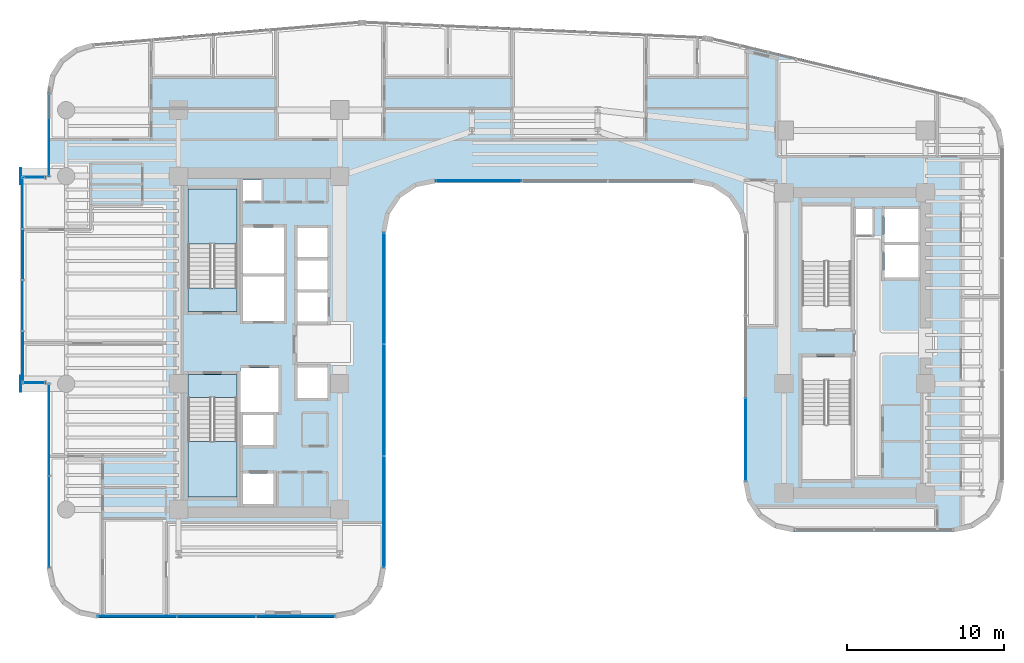
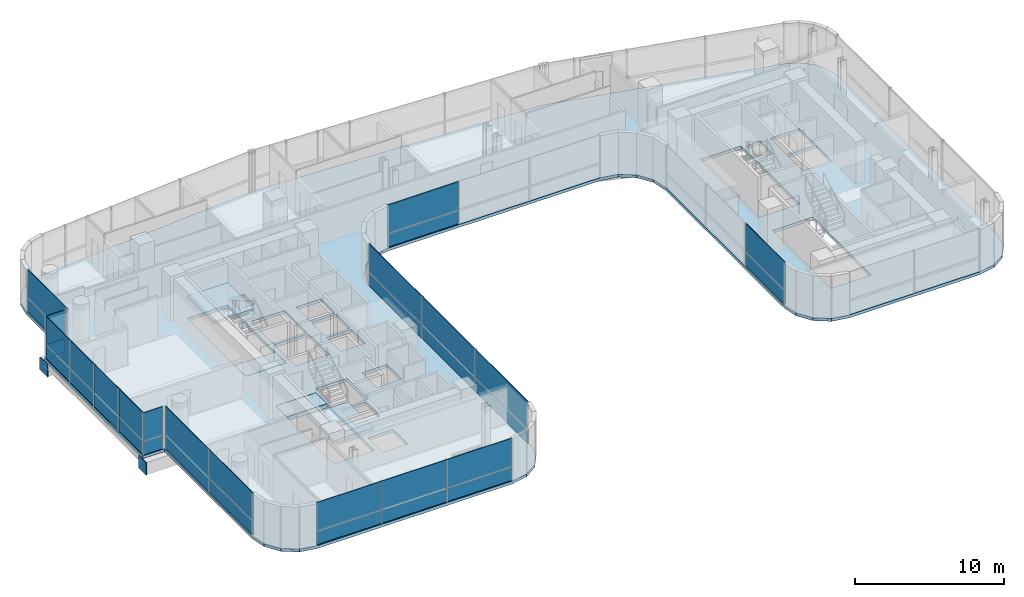
# One storey, part 24 of 36: 31 plates, 5 slabs, 11 elements without a shape of their own.
"""IFC4 building model written with IfcOpenShell, lengths in metres."""

from ifc_helpers import new_model, si_unit, direction, frame, origin, origin_2d, place, context, subcontext, project, spatial, polyline, rectangle, outline, extrude, source, transform, mapped, material, layer, layer_set, type_object, element, aggregate, save


model = new_model("IFC4")

# Units and contexts
model_context = context("Model", 3, precision=1e-05, world=origin(), true_north=direction((0.0, 1.0)))
body_context = subcontext(model_context, "Body", "Model", "MODEL_VIEW")
ifc_project = project(units=[si_unit("LENGTHUNIT", "METRE"), si_unit("AREAUNIT", "SQUARE_METRE"), si_unit("VOLUMEUNIT", "CUBIC_METRE"), si_unit("PLANEANGLEUNIT", "RADIAN"), si_unit("MASSUNIT", "GRAM", prefix="KILO")], contexts=[model_context])

# Site, building, storey
site_placement = place(None, origin())
site = spatial("IfcSite", under=ifc_project, at=site_placement, CompositionType="ELEMENT")
building_placement = place(site_placement, origin())
building = spatial("IfcBuilding", under=site, at=building_placement, Name="Valdorenza Pilgrim Sanctuary Tower", CompositionType="ELEMENT")
storey_placement = place(building_placement, frame((0.0, 0.0, 109.39990234375)))
storey = spatial("IfcBuildingStorey", under=building, at=storey_placement, Name="L27", CompositionType="ELEMENT", Elevation=109.39990234375)

# Slab
ifc_material_1 = material(Name="Concrete C40/50", Category="concrete")
ifc_layer_1 = layer(ifc_material_1, 0.239990234375, Name="Concrete C40/50")
ifc_layer_set_1 = layer_set([ifc_layer_1], Name="Concrete C40/50")
slab_type_1 = type_object("IfcSlabType", Name="SLAB-FLR-220", PredefinedType="FLOOR", material=ifc_layer_set_1)
slab_1_placement = place(storey_placement, frame((0.0, 0.0, -0.239990234375)))
element("IfcSlab", 1, at=slab_1_placement, inside=storey, type_object=slab_type_1, Name="L27 Structural Floor Slab 1", PredefinedType="FLOOR", context=body_context, shape_type="SweptSolid", body=[
    extrude(outline(polyline([(-30.78173828125, 17.022216796875), (-30.156494140625, 18.025390625), (-29.2099609375, 18.733154296875), (-28.071044921875, 19.049072265625), (-11.2080078125, 20.482421875), (-11.10400390625, 20.489501953125), (-10.895751953125, 20.49365234375), (10.6962890625, 19.513916015625), (10.847412109375, 19.50341796875), (10.998046875, 19.485595703125), (11.147705078125, 19.4609375), (11.2958984375, 19.42919921875), (27.344970703125, 15.587646484375), (28.323974609375, 15.17138671875), (29.1123046875, 14.45751953125), (29.623291015625, 13.5244140625), (29.800048828125, 12.4755859375), (29.800048828125, -8.800048828125), (29.556396484375, -10.024658203125), (28.86279296875, -11.062744140625), (27.82470703125, -11.75634765625), (26.60009765625, -12.0), (16.5, -12.0), (15.275390625, -11.75634765625), (14.2373046875, -11.062744140625), (13.543701171875, -10.024658203125), (13.300048828125, -8.800048828125), (13.300048828125, 7.0), (13.056396484375, 8.224609375), (12.36279296875, 9.2626953125), (11.32470703125, 9.956298828125), (10.10009765625, 10.199951171875), (-6.300048828125, 10.199951171875), (-7.524658203125, 9.956298828125), (-8.562744140625, 9.2626953125), (-9.25634765625, 8.224609375), (-9.5, 7.0), (-9.5, -14.300048828125), (-9.74365234375, -15.524658203125), (-10.437255859375, -16.562744140625), (-11.475341796875, -17.25634765625), (-12.699951171875, -17.5), (-27.800048828125, -17.5), (-29.024658203125, -17.25634765625), (-30.062744140625, -16.562744140625), (-30.75634765625, -15.524658203125), (-31.0, -14.300048828125), (-31.0, -2.60009765625), (-32.64990234375, -2.60009765625), (-32.64990234375, 10.60009765625), (-31.0, 10.60009765625), (-31.0, 15.860595703125), (-30.78173828125, 17.022216796875)]), holes=[polyline([(-16.60009765625, -10.25), (-16.60009765625, -8.300048828125), (-18.550048828125, -8.300048828125), (-18.550048828125, -10.25), (-16.60009765625, -10.25)]), polyline([(-22.050048828125, -9.800048828125), (-18.93994140625, -9.800048828125), (-18.93994140625, -3.485107421875), (-18.93994140625, -2.0), (-22.050048828125, -2.0), (-22.050048828125, -3.485107421875), (-22.050048828125, -9.800048828125)]), polyline([(-16.60009765625, -6.5), (-16.60009765625, -4.60009765625), (-18.550048828125, -4.60009765625), (-18.550048828125, -6.5), (-16.60009765625, -6.5)]), polyline([(-18.719970703125, -4.39990234375), (-16.300048828125, -4.39990234375), (-16.300048828125, -1.60009765625), (-18.719970703125, -1.60009765625), (-18.719970703125, -4.39990234375)]), polyline([(-13.179931640625, 1.35009765625), (-13.179931640625, 3.199951171875), (-15.10009765625, 3.199951171875), (-15.10009765625, 1.35009765625), (-13.179931640625, 1.35009765625)]), polyline([(-22.050048828125, 2.0), (-18.93994140625, 2.0), (-18.93994140625, 3.485107421875), (-18.93994140625, 9.800048828125), (-22.050048828125, 9.800048828125), (-22.050048828125, 3.485107421875), (-22.050048828125, 2.0)]), polyline([(-15.949951171875, 1.39990234375), (-15.949951171875, 4.22509765625), (-18.550048828125, 4.22509765625), (-18.550048828125, 1.39990234375), (-15.949951171875, 1.39990234375)]), polyline([(-18.550048828125, 4.425048828125), (-15.949951171875, 4.425048828125), (-15.949951171875, 7.35009765625), (-18.550048828125, 7.35009765625), (-18.550048828125, 4.425048828125)]), polyline([(-17.360107421875, 9.030029296875), (-17.360107421875, 10.35009765625), (-18.570068359375, 10.35009765625), (-18.570068359375, 9.030029296875), (-17.360107421875, 9.030029296875)]), polyline([(17.0, -8.699951171875), (20.110107421875, -8.699951171875), (20.110107421875, -2.385009765625), (20.110107421875, -0.89990234375), (17.0, -0.89990234375), (17.0, -2.385009765625), (17.0, -8.699951171875)]), polyline([(-13.179931640625, -3.5), (-13.179931640625, -1.550048828125), (-15.10009765625, -1.550048828125), (-15.10009765625, -3.5), (-13.179931640625, -3.5)]), polyline([(17.0, 0.89990234375), (20.110107421875, 0.89990234375), (20.110107421875, 2.385009765625), (20.110107421875, 8.699951171875), (17.0, 8.699951171875), (17.0, 2.385009765625), (17.0, 0.89990234375)]), polyline([(-13.179931640625, 3.39990234375), (-13.179931640625, 5.25), (-15.10009765625, 5.25), (-15.10009765625, 3.39990234375), (-13.179931640625, 3.39990234375)]), polyline([(22.25, 4.14990234375), (24.47998046875, 4.14990234375), (24.47998046875, 6.22509765625), (22.25, 6.22509765625), (22.25, 4.14990234375)]), polyline([(-13.179931640625, 5.449951171875), (-13.179931640625, 7.300048828125), (-15.10009765625, 7.300048828125), (-15.10009765625, 5.449951171875), (-13.179931640625, 5.449951171875)]), polyline([(22.25, 6.425048828125), (24.47998046875, 6.425048828125), (24.47998046875, 8.5), (22.25, 8.5), (22.25, 6.425048828125)]), polyline([(20.409912109375, 6.860107421875), (21.489990234375, 6.860107421875), (21.489990234375, 8.52001953125), (20.409912109375, 8.52001953125), (20.409912109375, 6.860107421875)])]), origin(), (0.0, 0.0, 1.0), 0.239990234375),
])

# Stair, slab
stair_type = type_object("IfcStairType", Name="STR-DOG-CORE", PredefinedType="HALF_TURN_STAIR", material=ifc_material_1)
stair_1_placement = place(storey_placement, origin())
stair_1 = element("IfcStair", 2, at=stair_1_placement, inside=storey, type_object=stair_type, Name="L27 ST-A1", PredefinedType="HALF_TURN_STAIR")
ifc_layer_2 = layer(ifc_material_1, 0.199951171875, Name="Concrete C40/50")
ifc_layer_set_2 = layer_set([ifc_layer_2], Name="Concrete C40/50")
slab_type_2 = type_object("IfcSlabType", Name="SLAB-STL-200", PredefinedType="LANDING", material=ifc_layer_set_2)
slab_2_placement = place(storey_placement, frame((0.0, 0.0, 1.650146484375)))
slab_2 = element("IfcSlab", 3, at=slab_2_placement, type_object=slab_type_2, Name="ST-A1 landing 1", PredefinedType="LANDING", context=body_context, shape_type="SweptSolid", body=[
    extrude(outline(polyline([(-18.93994140625, 6.280029296875), (-18.93994140625, 9.800048828125), (-22.050048828125, 9.800048828125), (-22.050048828125, 6.280029296875), (-18.93994140625, 6.280029296875)])), origin(), (0.0, 0.0, 1.0), 0.199951171875),
])
aggregate(stair_1, [slab_2])

stair_2_placement = place(storey_placement, origin())
stair_2 = element("IfcStair", 4, at=stair_2_placement, inside=storey, type_object=stair_type, Name="L27 ST-A2", PredefinedType="HALF_TURN_STAIR")
slab_3_placement = place(storey_placement, frame((0.0, 0.0, 1.650146484375)))
slab_3 = element("IfcSlab", 5, at=slab_3_placement, type_object=slab_type_2, Name="ST-A2 landing 1", PredefinedType="LANDING", context=body_context, shape_type="SweptSolid", body=[
    extrude(outline(polyline([(-22.050048828125, -6.280029296875), (-22.050048828125, -9.800048828125), (-18.93994140625, -9.800048828125), (-18.93994140625, -6.280029296875), (-22.050048828125, -6.280029296875)])), origin(), (0.0, 0.0, 1.0), 0.199951171875),
])
aggregate(stair_2, [slab_3])

# Slabs
ifc_material_2 = material(Name="Concrete C50/60", Category="concrete")
ifc_layer_3 = layer(ifc_material_2, 0.39990234375, Name="Concrete C50/60")
ifc_layer_set_3 = layer_set([ifc_layer_3], Name="Concrete C50/60")
slab_type_3 = type_object("IfcSlabType", Name="SLAB-TRF-400", PredefinedType="FLOOR", material=ifc_layer_set_3)
slab_4_placement = place(storey_placement, frame((0.0, 0.0, -0.35986328125)))
element("IfcSlab", 6, at=slab_4_placement, inside=storey, type_object=slab_type_3, Name="L27 ST-A1 Structural Stair Landing Bearing Slab", PredefinedType="FLOOR", context=body_context, shape_type="SweptSolid", body=[
    extrude(outline(polyline([(-22.050048828125, 2.0), (-18.93994140625, 2.0), (-18.93994140625, 3.485107421875), (-22.050048828125, 3.485107421875), (-22.050048828125, 2.0)])), origin(), (0.0, 0.0, 1.0), 0.35986328125),
])
slab_5_placement = place(storey_placement, frame((0.0, 0.0, -0.35986328125)))
element("IfcSlab", 7, at=slab_5_placement, inside=storey, type_object=slab_type_3, Name="L27 ST-A2 Structural Stair Landing Bearing Slab", PredefinedType="FLOOR", context=body_context, shape_type="SweptSolid", body=[
    extrude(outline(polyline([(-22.050048828125, -3.485107421875), (-18.93994140625, -3.485107421875), (-18.93994140625, -2.0), (-22.050048828125, -2.0), (-22.050048828125, -3.485107421875)])), origin(), (0.0, 0.0, 1.0), 0.35986328125),
])

# Plates
ifc_material_3 = material(Name="Steel ASTM A572 Grade 42", Category="steel")
ifc_layer_4 = layer(ifc_material_3, 0.06005859375, Name="Steel ASTM A572 Grade 42")
ifc_layer_set_4 = layer_set([ifc_layer_4], Name="Steel ASTM A572 Grade 42")
plate_type_1 = type_object("IfcPlateType", Name="PLT-CAP-60", PredefinedType="SHEET", material=ifc_layer_set_4)
shared_shape_1 = source(origin(), body_context, "Body", "SweptSolid", [
    extrude(rectangle(XDim=0.06005859375, YDim=1.0400390625, at=origin_2d()), origin(), (0.0, 0.0, 1.0), 1.0400390625),
])
for number, where, z_axis, x_axis, name in (
    (8, (-32.679931640625, 10.60009765625, -1.260009765625), (0.0, 0.0, 1.0), (1.0, 0.0, 0.0), "L27 BOX-WA-L27 Cantilever Tip End Cap N"),
    (9, (-32.679931640625, -2.60009765625, -1.260009765625), (0.0, 0.0, 1.0), (1.0, 0.0, 0.0), "L27 BOX-WA-L27 Cantilever Tip End Cap S"),
):
    element("IfcPlate", number, at=place(storey_placement, frame(where, z_axis=z_axis, x_axis=x_axis)), inside=storey, type_object=plate_type_1, Name=name, PredefinedType="SHEET", context=body_context, shape_type="MappedRepresentation", body=[
        mapped(shared_shape_1, transform((0.0, 0.0, 0.0), x_axis=(1.0, 0.0, 0.0), y_axis=(0.0, 1.0, 0.0), z_axis=(0.0, 0.0, 1.0), scale=1.0)),
    ])

# Curtain wall, plates
ifc_material_4 = material(Name="Curtain-wall IGU glazing", Category="glass")
curtain_wall_type_1 = type_object("IfcCurtainWallType", Name="CW-SYS-02", PredefinedType="NOTDEFINED", material=ifc_material_4)
curtain_wall_1_placement = place(storey_placement, origin())
curtain_wall_1 = element("IfcCurtainWall", 10, at=curtain_wall_1_placement, inside=storey, type_object=curtain_wall_type_1, Name="L27 Curtain Wall CW-L27-1-36", PredefinedType="NOTDEFINED")
ifc_material_5 = material(Name="Honed travertine limestone", Category="masonry")
ifc_layer_5 = layer(ifc_material_5, 0.050048828125, Name="Honed travertine limestone")
ifc_layer_set_5 = layer_set([ifc_layer_5], Name="Honed travertine limestone")
plate_type_2 = type_object("IfcPlateType", Name="CW-SPN-TRV", PredefinedType="USERDEFINED", material=ifc_layer_set_5)
shared_shape_2 = source(origin(), body_context, "Body", "SweptSolid", [
    extrude(rectangle(XDim=5.453857421875, YDim=0.06005859375, at=origin_2d()), origin(), (0.0, 0.0, 1.0), 1.10009765625),
])
plate_1_placement = place(storey_placement, frame((-3.573974609375, 10.31005859375, 0.010009765625), z_axis=(0.0, 0.0, 1.0), x_axis=(-1.0, 0.0, 0.0)))
plate_1 = element("IfcPlate", 11, at=plate_1_placement, type_object=plate_type_2, Name="CW-L27-1-36 Travertine Spandrel 3", ObjectType="SPANDREL", PredefinedType="USERDEFINED", context=body_context, shape_type="MappedRepresentation", body=[
    mapped(shared_shape_2, transform((0.0, 0.0, 0.0), x_axis=(1.0, 0.0, 0.0), y_axis=(0.0, 1.0, 0.0), z_axis=(0.0, 0.0, 1.0), scale=1.0)),
])
ifc_material_6 = material(Name="Ceramic-fritted low-E IGU glazing", Category="glass")
ifc_layer_6 = layer(ifc_material_6, 0.035888671875, Name="Ceramic-fritted low-E IGU glazing")
ifc_layer_set_6 = layer_set([ifc_layer_6], Name="Ceramic-fritted low-E IGU glazing")
plate_type_3 = type_object("IfcPlateType", Name="CW-GLZ-IGU", PredefinedType="USERDEFINED", material=ifc_layer_set_6)
shared_shape_3 = source(origin(), body_context, "Body", "SweptSolid", [
    extrude(rectangle(XDim=5.453857421875, YDim=0.050048828125, at=origin_2d()), origin(), (0.0, 0.0, 1.0), 2.320068359375),
])
plate_2_placement = place(storey_placement, frame((-3.573974609375, 10.31005859375, 1.1298828125), z_axis=(0.0, 0.0, 1.0), x_axis=(-1.0, 0.0, 0.0)))
plate_2 = element("IfcPlate", 12, at=plate_2_placement, type_object=plate_type_3, Name="CW-L27-1-36 Facade Panel 3", ObjectType="GLAZING", PredefinedType="USERDEFINED", context=body_context, shape_type="MappedRepresentation", body=[
    mapped(shared_shape_3, transform((0.0, 0.0, 0.0), x_axis=(1.0, 0.0, 0.0), y_axis=(0.0, 1.0, 0.0), z_axis=(0.0, 0.0, 1.0), scale=1.0)),
])
aggregate(curtain_wall_1, [plate_1, plate_2])

# Curtain wall, plate
curtain_wall_2_placement = place(storey_placement, origin())
curtain_wall_2 = element("IfcCurtainWall", 13, at=curtain_wall_2_placement, inside=storey, type_object=curtain_wall_type_1, Name="L27 Curtain Wall CW-L27-BOX-WA-L27-S", PredefinedType="NOTDEFINED")
shared_shape_4 = source(origin(), body_context, "Body", "SweptSolid", [
    extrude(rectangle(XDim=1.43994140625, YDim=0.06005859375, at=origin_2d()), origin(), (0.0, 0.0, 1.0), 1.10009765625),
])
plate_3_placement = place(storey_placement, frame((-31.840087890625, -2.52001953125, 0.010009765625), z_axis=(0.0, 0.0, 1.0), x_axis=(-1.0, 0.0, 0.0)))
plate_3 = element("IfcPlate", 14, at=plate_3_placement, type_object=plate_type_2, Name="CW-L27-BOX-WA-L27-S Travertine Spandrel 1", ObjectType="SPANDREL", PredefinedType="USERDEFINED", context=body_context, shape_type="MappedRepresentation", body=[
    mapped(shared_shape_4, transform((0.0, 0.0, 0.0), x_axis=(1.0, 0.0, 0.0), y_axis=(0.0, 1.0, 0.0), z_axis=(0.0, 0.0, 1.0), scale=1.0)),
])

curtain_wall_3_placement = place(storey_placement, origin())
curtain_wall_3 = element("IfcCurtainWall", 15, at=curtain_wall_3_placement, inside=storey, type_object=curtain_wall_type_1, Name="L27 Curtain Wall CW-L27-BOX-WA-L27-N", PredefinedType="NOTDEFINED")
plate_4_placement = place(storey_placement, frame((-31.840087890625, 10.52001953125, 0.010009765625), z_axis=(0.0, 0.0, 1.0), x_axis=(1.0, 0.0, 0.0)))
plate_4 = element("IfcPlate", 16, at=plate_4_placement, type_object=plate_type_2, Name="CW-L27-BOX-WA-L27-N Travertine Spandrel 1", ObjectType="SPANDREL", PredefinedType="USERDEFINED", context=body_context, shape_type="MappedRepresentation", body=[
    mapped(shared_shape_4, transform((0.0, 0.0, 0.0), x_axis=(1.0, 0.0, 0.0), y_axis=(0.0, 1.0, 0.0), z_axis=(0.0, 0.0, 1.0), scale=1.0)),
])

# Plate
shared_shape_5 = source(origin(), body_context, "Body", "SweptSolid", [
    extrude(rectangle(XDim=1.43994140625, YDim=0.050048828125, at=origin_2d()), origin(), (0.0, 0.0, 1.0), 2.320068359375),
])
plate_5_placement = place(storey_placement, frame((-31.840087890625, -2.52001953125, 1.1298828125), z_axis=(0.0, 0.0, 1.0), x_axis=(-1.0, 0.0, 0.0)))
plate_5 = element("IfcPlate", 17, at=plate_5_placement, type_object=plate_type_3, Name="CW-L27-BOX-WA-L27-S Facade Panel 1", ObjectType="GLAZING", PredefinedType="USERDEFINED", context=body_context, shape_type="MappedRepresentation", body=[
    mapped(shared_shape_5, transform((0.0, 0.0, 0.0), x_axis=(1.0, 0.0, 0.0), y_axis=(0.0, 1.0, 0.0), z_axis=(0.0, 0.0, 1.0), scale=1.0)),
])

aggregate(curtain_wall_2, [plate_3, plate_5])

plate_6_placement = place(storey_placement, frame((-31.840087890625, 10.52001953125, 1.1298828125), z_axis=(0.0, 0.0, 1.0), x_axis=(1.0, 0.0, 0.0)))
plate_6 = element("IfcPlate", 18, at=plate_6_placement, type_object=plate_type_3, Name="CW-L27-BOX-WA-L27-N Facade Panel 1", ObjectType="GLAZING", PredefinedType="USERDEFINED", context=body_context, shape_type="MappedRepresentation", body=[
    mapped(shared_shape_5, transform((0.0, 0.0, 0.0), x_axis=(1.0, 0.0, 0.0), y_axis=(0.0, 1.0, 0.0), z_axis=(0.0, 0.0, 1.0), scale=1.0)),
])

aggregate(curtain_wall_3, [plate_4, plate_6])

# Curtain wall, plates
curtain_wall_4_placement = place(storey_placement, origin())
curtain_wall_4 = element("IfcCurtainWall", 19, at=curtain_wall_4_placement, inside=storey, type_object=curtain_wall_type_1, Name="L27 Curtain Wall CW-L27-BOX-WA-L27-F", PredefinedType="NOTDEFINED")
shared_shape_6 = source(origin(), body_context, "Body", "SweptSolid", [
    extrude(rectangle(XDim=3.239990234375, YDim=0.06005859375, at=origin_2d()), origin(), (0.0, 0.0, 1.0), 1.10009765625),
])
plate_7_placement = place(storey_placement, frame((-32.570068359375, -0.889892578125, 0.010009765625), z_axis=(0.0, 0.0, 1.0), x_axis=(0.0, 1.0, 0.0)))
plate_7 = element("IfcPlate", 20, at=plate_7_placement, type_object=plate_type_2, Name="CW-L27-BOX-WA-L27-F Travertine Spandrel 1", ObjectType="SPANDREL", PredefinedType="USERDEFINED", context=body_context, shape_type="MappedRepresentation", body=[
    mapped(shared_shape_6, transform((0.0, 0.0, 0.0), x_axis=(1.0, 0.0, 0.0), y_axis=(0.0, 1.0, 0.0), z_axis=(0.0, 0.0, 1.0), scale=1.0)),
])
plate_8_placement = place(storey_placement, frame((-32.570068359375, 5.6298828125, 0.010009765625), z_axis=(0.0, 0.0, 1.0), x_axis=(0.0, 1.0, 0.0)))
plate_8 = element("IfcPlate", 21, at=plate_8_placement, type_object=plate_type_2, Name="CW-L27-BOX-WA-L27-F Travertine Spandrel 3", ObjectType="SPANDREL", PredefinedType="USERDEFINED", context=body_context, shape_type="MappedRepresentation", body=[
    mapped(shared_shape_6, transform((0.0, 0.0, 0.0), x_axis=(1.0, 0.0, 0.0), y_axis=(0.0, 1.0, 0.0), z_axis=(0.0, 0.0, 1.0), scale=1.0)),
])
shared_shape_7 = source(origin(), body_context, "Body", "SweptSolid", [
    extrude(rectangle(XDim=3.239990234375, YDim=0.050048828125, at=origin_2d()), origin(), (0.0, 0.0, 1.0), 2.320068359375),
])
plate_9_placement = place(storey_placement, frame((-32.570068359375, -0.889892578125, 1.1298828125), z_axis=(0.0, 0.0, 1.0), x_axis=(0.0, 1.0, 0.0)))
plate_9 = element("IfcPlate", 22, at=plate_9_placement, type_object=plate_type_3, Name="CW-L27-BOX-WA-L27-F Facade Panel 1", ObjectType="GLAZING", PredefinedType="USERDEFINED", context=body_context, shape_type="MappedRepresentation", body=[
    mapped(shared_shape_7, transform((0.0, 0.0, 0.0), x_axis=(1.0, 0.0, 0.0), y_axis=(0.0, 1.0, 0.0), z_axis=(0.0, 0.0, 1.0), scale=1.0)),
])
plate_10_placement = place(storey_placement, frame((-32.570068359375, 5.6298828125, 1.1298828125), z_axis=(0.0, 0.0, 1.0), x_axis=(0.0, 1.0, 0.0)))
plate_10 = element("IfcPlate", 23, at=plate_10_placement, type_object=plate_type_3, Name="CW-L27-BOX-WA-L27-F Facade Panel 3", ObjectType="GLAZING", PredefinedType="USERDEFINED", context=body_context, shape_type="MappedRepresentation", body=[
    mapped(shared_shape_7, transform((0.0, 0.0, 0.0), x_axis=(1.0, 0.0, 0.0), y_axis=(0.0, 1.0, 0.0), z_axis=(0.0, 0.0, 1.0), scale=1.0)),
])
shared_shape_8 = source(origin(), body_context, "Body", "SweptSolid", [
    extrude(rectangle(XDim=3.239990234375, YDim=0.050048828125, at=origin_2d()), origin(), (0.0, 0.0, 1.0), 3.43994140625),
])
plate_11_placement = place(storey_placement, frame((-32.570068359375, 2.3701171875, 0.010009765625), z_axis=(0.0, 0.0, 1.0), x_axis=(0.0, 1.0, 0.0)))
plate_11 = element("IfcPlate", 24, at=plate_11_placement, type_object=plate_type_3, Name="CW-L27-BOX-WA-L27-F Full-Height Facade Panel 2", ObjectType="GLAZING", PredefinedType="USERDEFINED", context=body_context, shape_type="MappedRepresentation", body=[
    mapped(shared_shape_8, transform((0.0, 0.0, 0.0), x_axis=(1.0, 0.0, 0.0), y_axis=(0.0, 1.0, 0.0), z_axis=(0.0, 0.0, 1.0), scale=1.0)),
])
plate_12_placement = place(storey_placement, frame((-32.570068359375, 8.889892578125, 0.010009765625), z_axis=(0.0, 0.0, 1.0), x_axis=(0.0, 1.0, 0.0)))
plate_12 = element("IfcPlate", 25, at=plate_12_placement, type_object=plate_type_3, Name="CW-L27-BOX-WA-L27-F Full-Height Facade Panel 4", ObjectType="GLAZING", PredefinedType="USERDEFINED", context=body_context, shape_type="MappedRepresentation", body=[
    mapped(shared_shape_8, transform((0.0, 0.0, 0.0), x_axis=(1.0, 0.0, 0.0), y_axis=(0.0, 1.0, 0.0), z_axis=(0.0, 0.0, 1.0), scale=1.0)),
])
aggregate(curtain_wall_4, [plate_7, plate_9, plate_11, plate_8, plate_10, plate_12])

# Curtain wall, plate
curtain_wall_type_2 = type_object("IfcCurtainWallType", Name="CW-SYS-03", PredefinedType="NOTDEFINED", material=ifc_material_4)
curtain_wall_5_placement = place(storey_placement, origin())
curtain_wall_5 = element("IfcCurtainWall", 26, at=curtain_wall_5_placement, inside=storey, type_object=curtain_wall_type_2, Name="L27 Curtain Wall CW-L27-1-31", PredefinedType="NOTDEFINED")
shared_shape_9 = source(origin(), body_context, "Body", "SweptSolid", [
    extrude(rectangle(XDim=5.24658203125, YDim=0.06005859375, at=origin_2d()), origin(), (0.0, 0.0, 1.0), 1.10009765625),
])
plate_13_placement = place(storey_placement, frame((13.409912109375, -6.156005859375, 0.010009765625), z_axis=(0.0, 0.0, 1.0), x_axis=(0.0, 1.0, 0.0)))
plate_13 = element("IfcPlate", 27, at=plate_13_placement, type_object=plate_type_2, Name="CW-L27-1-31 Travertine Spandrel 1", ObjectType="SPANDREL", PredefinedType="USERDEFINED", context=body_context, shape_type="MappedRepresentation", body=[
    mapped(shared_shape_9, transform((0.0, 0.0, 0.0), x_axis=(1.0, 0.0, 0.0), y_axis=(0.0, 1.0, 0.0), z_axis=(0.0, 0.0, 1.0), scale=1.0)),
])

# Curtain wall, plates
curtain_wall_6_placement = place(storey_placement, origin())
curtain_wall_6 = element("IfcCurtainWall", 28, at=curtain_wall_6_placement, inside=storey, type_object=curtain_wall_type_1, Name="L27 Curtain Wall CW-L27-1-41", PredefinedType="NOTDEFINED")
shared_shape_10 = source(origin(), body_context, "Body", "SweptSolid", [
    extrude(rectangle(XDim=7.080078125, YDim=0.06005859375, at=origin_2d()), origin(), (0.0, 0.0, 1.0), 1.10009765625),
])
plate_14_placement = place(storey_placement, frame((-9.610107421875, 3.460693359375, 0.010009765625), z_axis=(0.0, 0.0, 1.0), x_axis=(0.0, -1.0, 0.0)))
plate_14 = element("IfcPlate", 29, at=plate_14_placement, type_object=plate_type_2, Name="CW-L27-1-41 Travertine Spandrel 1", ObjectType="SPANDREL", PredefinedType="USERDEFINED", context=body_context, shape_type="MappedRepresentation", body=[
    mapped(shared_shape_10, transform((0.0, 0.0, 0.0), x_axis=(1.0, 0.0, 0.0), y_axis=(0.0, 1.0, 0.0), z_axis=(0.0, 0.0, 1.0), scale=1.0)),
])
plate_15_placement = place(storey_placement, frame((-9.610107421875, -10.7392578125, 0.010009765625), z_axis=(0.0, 0.0, 1.0), x_axis=(0.0, -1.0, 0.0)))
plate_15 = element("IfcPlate", 30, at=plate_15_placement, type_object=plate_type_2, Name="CW-L27-1-41 Travertine Spandrel 3", ObjectType="SPANDREL", PredefinedType="USERDEFINED", context=body_context, shape_type="MappedRepresentation", body=[
    mapped(shared_shape_10, transform((0.0, 0.0, 0.0), x_axis=(1.0, 0.0, 0.0), y_axis=(0.0, 1.0, 0.0), z_axis=(0.0, 0.0, 1.0), scale=1.0)),
])

curtain_wall_7_placement = place(storey_placement, origin())
curtain_wall_7 = element("IfcCurtainWall", 31, at=curtain_wall_7_placement, inside=storey, type_object=curtain_wall_type_1, Name="L27 Curtain Wall CW-L27-1-1S1", PredefinedType="NOTDEFINED")
shared_shape_11 = source(origin(), body_context, "Body", "SweptSolid", [
    extrude(rectangle(XDim=5.82470703125, YDim=0.06005859375, at=origin_2d()), origin(), (0.0, 0.0, 1.0), 1.10009765625),
])
plate_16_placement = place(storey_placement, frame((-30.889892578125, -11.366943359375, 0.010009765625), z_axis=(0.0, 0.0, 1.0), x_axis=(0.0, 1.0, 0.0)))
plate_16 = element("IfcPlate", 32, at=plate_16_placement, type_object=plate_type_2, Name="CW-L27-1-1S1 Travertine Spandrel 1", ObjectType="SPANDREL", PredefinedType="USERDEFINED", context=body_context, shape_type="MappedRepresentation", body=[
    mapped(shared_shape_11, transform((0.0, 0.0, 0.0), x_axis=(1.0, 0.0, 0.0), y_axis=(0.0, 1.0, 0.0), z_axis=(0.0, 0.0, 1.0), scale=1.0)),
])
shared_shape_12 = source(origin(), body_context, "Body", "SweptSolid", [
    extrude(rectangle(XDim=5.82470703125, YDim=0.050048828125, at=origin_2d()), origin(), (0.0, 0.0, 1.0), 2.320068359375),
])
plate_17_placement = place(storey_placement, frame((-30.889892578125, -11.366943359375, 1.1298828125), z_axis=(0.0, 0.0, 1.0), x_axis=(0.0, 1.0, 0.0)))
plate_17 = element("IfcPlate", 33, at=plate_17_placement, type_object=plate_type_3, Name="CW-L27-1-1S1 Facade Panel 1", ObjectType="GLAZING", PredefinedType="USERDEFINED", context=body_context, shape_type="MappedRepresentation", body=[
    mapped(shared_shape_12, transform((0.0, 0.0, 0.0), x_axis=(1.0, 0.0, 0.0), y_axis=(0.0, 1.0, 0.0), z_axis=(0.0, 0.0, 1.0), scale=1.0)),
])
shared_shape_13 = source(origin(), body_context, "Body", "SweptSolid", [
    extrude(rectangle(XDim=5.82470703125, YDim=0.050048828125, at=origin_2d()), origin(), (0.0, 0.0, 1.0), 3.43994140625),
])
plate_18_placement = place(storey_placement, frame((-30.889892578125, -5.522216796875, 0.010009765625), z_axis=(0.0, 0.0, 1.0), x_axis=(0.0, 1.0, 0.0)))
plate_18 = element("IfcPlate", 34, at=plate_18_placement, type_object=plate_type_3, Name="CW-L27-1-1S1 Full-Height Facade Panel 2", ObjectType="GLAZING", PredefinedType="USERDEFINED", context=body_context, shape_type="MappedRepresentation", body=[
    mapped(shared_shape_13, transform((0.0, 0.0, 0.0), x_axis=(1.0, 0.0, 0.0), y_axis=(0.0, 1.0, 0.0), z_axis=(0.0, 0.0, 1.0), scale=1.0)),
])
aggregate(curtain_wall_7, [plate_16, plate_17, plate_18])

curtain_wall_8_placement = place(storey_placement, origin())
curtain_wall_8 = element("IfcCurtainWall", 35, at=curtain_wall_8_placement, inside=storey, type_object=curtain_wall_type_1, Name="L27 Curtain Wall CW-L27-1-1S2", PredefinedType="NOTDEFINED")
shared_shape_14 = source(origin(), body_context, "Body", "SweptSolid", [
    extrude(rectangle(XDim=5.230224609375, YDim=0.06005859375, at=origin_2d()), origin(), (0.0, 0.0, 1.0), 1.10009765625),
])
plate_19_placement = place(storey_placement, frame((-30.889892578125, 13.22509765625, 0.010009765625), z_axis=(0.0, 0.0, 1.0), x_axis=(0.0, 1.0, 0.0)))
plate_19 = element("IfcPlate", 36, at=plate_19_placement, type_object=plate_type_2, Name="CW-L27-1-1S2 Travertine Spandrel 1", ObjectType="SPANDREL", PredefinedType="USERDEFINED", context=body_context, shape_type="MappedRepresentation", body=[
    mapped(shared_shape_14, transform((0.0, 0.0, 0.0), x_axis=(1.0, 0.0, 0.0), y_axis=(0.0, 1.0, 0.0), z_axis=(0.0, 0.0, 1.0), scale=1.0)),
])
shared_shape_15 = source(origin(), body_context, "Body", "SweptSolid", [
    extrude(rectangle(XDim=5.230224609375, YDim=0.050048828125, at=origin_2d()), origin(), (0.0, 0.0, 1.0), 2.320068359375),
])
plate_20_placement = place(storey_placement, frame((-30.889892578125, 13.22509765625, 1.1298828125), z_axis=(0.0, 0.0, 1.0), x_axis=(0.0, 1.0, 0.0)))
plate_20 = element("IfcPlate", 37, at=plate_20_placement, type_object=plate_type_3, Name="CW-L27-1-1S2 Facade Panel 1", ObjectType="GLAZING", PredefinedType="USERDEFINED", context=body_context, shape_type="MappedRepresentation", body=[
    mapped(shared_shape_15, transform((0.0, 0.0, 0.0), x_axis=(1.0, 0.0, 0.0), y_axis=(0.0, 1.0, 0.0), z_axis=(0.0, 0.0, 1.0), scale=1.0)),
])
aggregate(curtain_wall_8, [plate_19, plate_20])

# Plate
shared_shape_16 = source(origin(), body_context, "Body", "SweptSolid", [
    extrude(rectangle(XDim=5.24658203125, YDim=0.050048828125, at=origin_2d()), origin(), (0.0, 0.0, 1.0), 2.320068359375),
])
plate_21_placement = place(storey_placement, frame((13.409912109375, -6.156005859375, 1.1298828125), z_axis=(0.0, 0.0, 1.0), x_axis=(0.0, 1.0, 0.0)))
plate_21 = element("IfcPlate", 38, at=plate_21_placement, type_object=plate_type_3, Name="CW-L27-1-31 Facade Panel 1", ObjectType="GLAZING", PredefinedType="USERDEFINED", context=body_context, shape_type="MappedRepresentation", body=[
    mapped(shared_shape_16, transform((0.0, 0.0, 0.0), x_axis=(1.0, 0.0, 0.0), y_axis=(0.0, 1.0, 0.0), z_axis=(0.0, 0.0, 1.0), scale=1.0)),
])

aggregate(curtain_wall_5, [plate_13, plate_21])

shared_shape_17 = source(origin(), body_context, "Body", "SweptSolid", [
    extrude(rectangle(XDim=7.080078125, YDim=0.050048828125, at=origin_2d()), origin(), (0.0, 0.0, 1.0), 2.320068359375),
])
plate_22_placement = place(storey_placement, frame((-9.610107421875, 3.460693359375, 1.1298828125), z_axis=(0.0, 0.0, 1.0), x_axis=(0.0, -1.0, 0.0)))
plate_22 = element("IfcPlate", 39, at=plate_22_placement, type_object=plate_type_3, Name="CW-L27-1-41 Facade Panel 1", ObjectType="GLAZING", PredefinedType="USERDEFINED", context=body_context, shape_type="MappedRepresentation", body=[
    mapped(shared_shape_17, transform((0.0, 0.0, 0.0), x_axis=(1.0, 0.0, 0.0), y_axis=(0.0, 1.0, 0.0), z_axis=(0.0, 0.0, 1.0), scale=1.0)),
])

plate_23_placement = place(storey_placement, frame((-9.610107421875, -10.7392578125, 1.1298828125), z_axis=(0.0, 0.0, 1.0), x_axis=(0.0, -1.0, 0.0)))
plate_23 = element("IfcPlate", 40, at=plate_23_placement, type_object=plate_type_3, Name="CW-L27-1-41 Facade Panel 3", ObjectType="GLAZING", PredefinedType="USERDEFINED", context=body_context, shape_type="MappedRepresentation", body=[
    mapped(shared_shape_17, transform((0.0, 0.0, 0.0), x_axis=(1.0, 0.0, 0.0), y_axis=(0.0, 1.0, 0.0), z_axis=(0.0, 0.0, 1.0), scale=1.0)),
])

shared_shape_18 = source(origin(), body_context, "Body", "SweptSolid", [
    extrude(rectangle(XDim=7.080078125, YDim=0.050048828125, at=origin_2d()), origin(), (0.0, 0.0, 1.0), 3.43994140625),
])
plate_24_placement = place(storey_placement, frame((-9.610107421875, -3.63916015625, 0.010009765625), z_axis=(0.0, 0.0, 1.0), x_axis=(0.0, -1.0, 0.0)))
plate_24 = element("IfcPlate", 41, at=plate_24_placement, type_object=plate_type_3, Name="CW-L27-1-41 Full-Height Facade Panel 2", ObjectType="GLAZING", PredefinedType="USERDEFINED", context=body_context, shape_type="MappedRepresentation", body=[
    mapped(shared_shape_18, transform((0.0, 0.0, 0.0), x_axis=(1.0, 0.0, 0.0), y_axis=(0.0, 1.0, 0.0), z_axis=(0.0, 0.0, 1.0), scale=1.0)),
])

aggregate(curtain_wall_6, [plate_14, plate_22, plate_24, plate_15, plate_23])

# Curtain wall, plates
curtain_wall_9_placement = place(storey_placement, origin())
curtain_wall_9 = element("IfcCurtainWall", 42, at=curtain_wall_9_placement, inside=storey, type_object=curtain_wall_type_1, Name="L27 Curtain Wall CW-L27-1-46", PredefinedType="NOTDEFINED")
shared_shape_19 = source(origin(), body_context, "Body", "SweptSolid", [
    extrude(rectangle(XDim=5.006103515625, YDim=0.06005859375, at=origin_2d()), origin(), (0.0, 0.0, 1.0), 1.10009765625),
])
plate_25_placement = place(storey_placement, frame((-15.223876953125, -17.389892578125, 0.010009765625), z_axis=(0.0, 0.0, 1.0), x_axis=(-1.0, 0.0, 0.0)))
plate_25 = element("IfcPlate", 43, at=plate_25_placement, type_object=plate_type_2, Name="CW-L27-1-46 Travertine Spandrel 1", ObjectType="SPANDREL", PredefinedType="USERDEFINED", context=body_context, shape_type="MappedRepresentation", body=[
    mapped(shared_shape_19, transform((0.0, 0.0, 0.0), x_axis=(1.0, 0.0, 0.0), y_axis=(0.0, 1.0, 0.0), z_axis=(0.0, 0.0, 1.0), scale=1.0)),
])
plate_26_placement = place(storey_placement, frame((-25.276123046875, -17.389892578125, 0.010009765625), z_axis=(0.0, 0.0, 1.0), x_axis=(-1.0, 0.0, 0.0)))
plate_26 = element("IfcPlate", 44, at=plate_26_placement, type_object=plate_type_2, Name="CW-L27-1-46 Travertine Spandrel 3", ObjectType="SPANDREL", PredefinedType="USERDEFINED", context=body_context, shape_type="MappedRepresentation", body=[
    mapped(shared_shape_19, transform((0.0, 0.0, 0.0), x_axis=(1.0, 0.0, 0.0), y_axis=(0.0, 1.0, 0.0), z_axis=(0.0, 0.0, 1.0), scale=1.0)),
])
shared_shape_20 = source(origin(), body_context, "Body", "SweptSolid", [
    extrude(rectangle(XDim=5.006103515625, YDim=0.050048828125, at=origin_2d()), origin(), (0.0, 0.0, 1.0), 2.320068359375),
])
plate_27_placement = place(storey_placement, frame((-15.223876953125, -17.389892578125, 1.1298828125), z_axis=(0.0, 0.0, 1.0), x_axis=(-1.0, 0.0, 0.0)))
plate_27 = element("IfcPlate", 45, at=plate_27_placement, type_object=plate_type_3, Name="CW-L27-1-46 Facade Panel 1", ObjectType="GLAZING", PredefinedType="USERDEFINED", context=body_context, shape_type="MappedRepresentation", body=[
    mapped(shared_shape_20, transform((0.0, 0.0, 0.0), x_axis=(1.0, 0.0, 0.0), y_axis=(0.0, 1.0, 0.0), z_axis=(0.0, 0.0, 1.0), scale=1.0)),
])
plate_28_placement = place(storey_placement, frame((-25.276123046875, -17.389892578125, 1.1298828125), z_axis=(0.0, 0.0, 1.0), x_axis=(-1.0, 0.0, 0.0)))
plate_28 = element("IfcPlate", 46, at=plate_28_placement, type_object=plate_type_3, Name="CW-L27-1-46 Facade Panel 3", ObjectType="GLAZING", PredefinedType="USERDEFINED", context=body_context, shape_type="MappedRepresentation", body=[
    mapped(shared_shape_20, transform((0.0, 0.0, 0.0), x_axis=(1.0, 0.0, 0.0), y_axis=(0.0, 1.0, 0.0), z_axis=(0.0, 0.0, 1.0), scale=1.0)),
])
shared_shape_21 = source(origin(), body_context, "Body", "SweptSolid", [
    extrude(rectangle(XDim=5.006103515625, YDim=0.050048828125, at=origin_2d()), origin(), (0.0, 0.0, 1.0), 3.43994140625),
])
plate_29_placement = place(storey_placement, frame((-20.25, -17.389892578125, 0.010009765625), z_axis=(0.0, 0.0, 1.0), x_axis=(-1.0, 0.0, 0.0)))
plate_29 = element("IfcPlate", 47, at=plate_29_placement, type_object=plate_type_3, Name="CW-L27-1-46 Full-Height Facade Panel 2", ObjectType="GLAZING", PredefinedType="USERDEFINED", context=body_context, shape_type="MappedRepresentation", body=[
    mapped(shared_shape_21, transform((0.0, 0.0, 0.0), x_axis=(1.0, 0.0, 0.0), y_axis=(0.0, 1.0, 0.0), z_axis=(0.0, 0.0, 1.0), scale=1.0)),
])
aggregate(curtain_wall_9, [plate_25, plate_27, plate_29, plate_26, plate_28])

save(model, "model.ifc")
